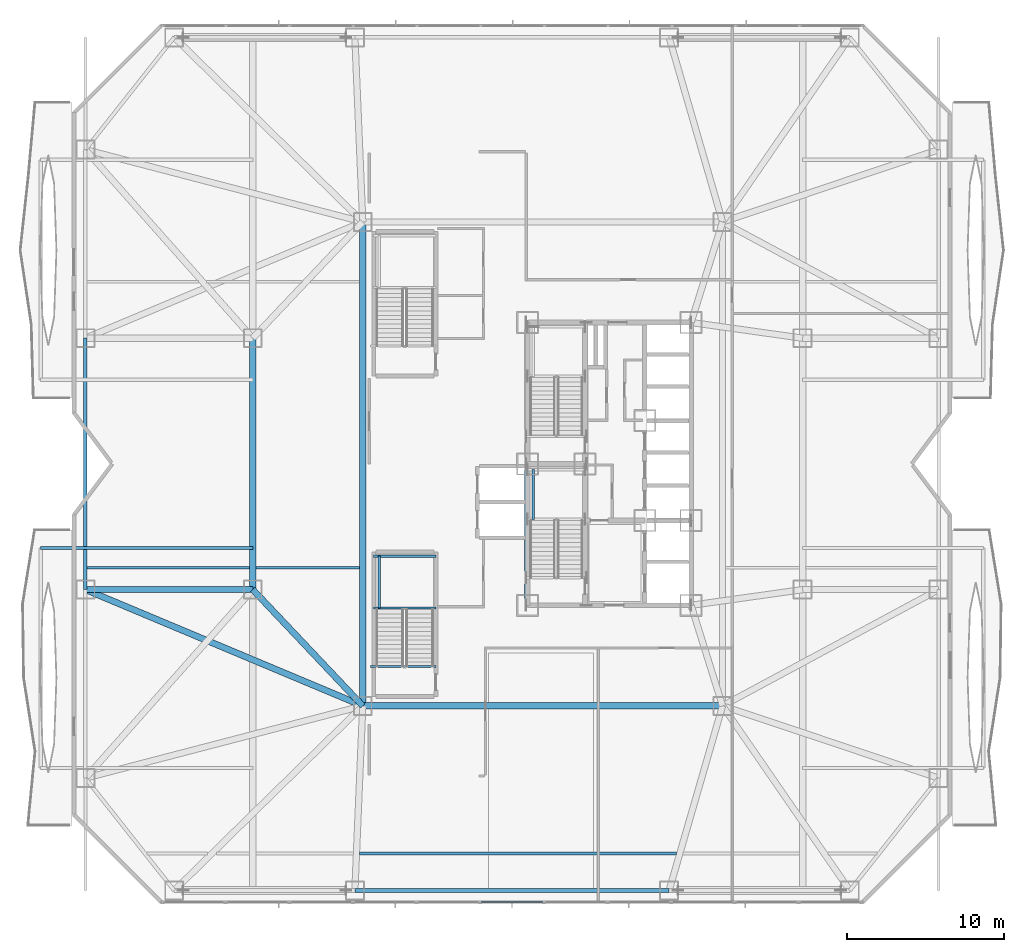
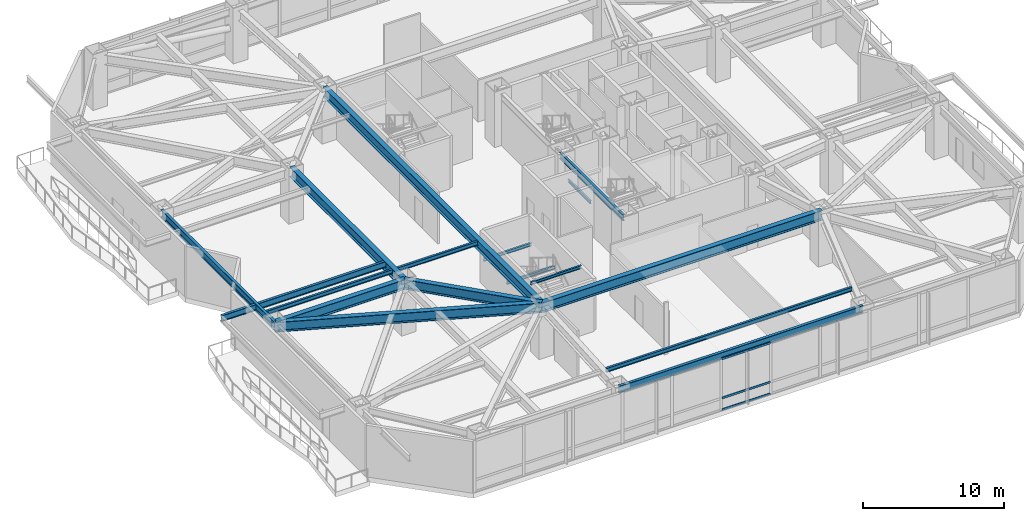
# One storey, part 5 of 33: 18 beams, 3 members, 1 element without a shape of its own.
"""IFC4 building model written with IfcOpenShell, lengths in metres."""

from ifc_helpers import new_model, si_unit, direction, frame, origin, origin_2d, place, context, subcontext, project, spatial, hollow_rectangle, i_section, extrude, material, material_profile, profile_set, type_object, element, aggregate, save


model = new_model("IFC4")

# Units and contexts
model_context = context("Model", 3, precision=1e-05, world=origin(), true_north=direction((0.0, 1.0)))
body_context = subcontext(model_context, "Body", "Model", "MODEL_VIEW")
ifc_project = project(units=[si_unit("LENGTHUNIT", "METRE"), si_unit("AREAUNIT", "SQUARE_METRE"), si_unit("VOLUMEUNIT", "CUBIC_METRE"), si_unit("PLANEANGLEUNIT", "RADIAN"), si_unit("MASSUNIT", "GRAM", prefix="KILO")], contexts=[model_context])

# Site, building, storey
site_placement = place(None, origin())
site = spatial("IfcSite", under=ifc_project, at=site_placement, CompositionType="ELEMENT")
building_placement = place(site_placement, origin())
building = spatial("IfcBuilding", under=site, at=building_placement, Name="Khamvora Tower", CompositionType="ELEMENT")
storey_placement = place(building_placement, frame((0.0, 0.0, 7.199951171875)))
storey = spatial("IfcBuildingStorey", under=building, at=storey_placement, Name="L01", CompositionType="ELEMENT", Elevation=7.199951171875)

# Beams
ifc_material_1 = material(Name="Steel S355", Category="steel")
ifc_material_profile_1 = material_profile(ifc_material_1, i_section(OverallWidth=0.1708984375, OverallDepth=0.35498046875, WebThickness=0.007080078125, FlangeThickness=0.011962890625, FilletRadius=0.010009765625, at=origin_2d()), Name="W360x51")
ifc_profile_set_1 = profile_set([ifc_material_profile_1], Name="Steel S355")
beam_type_1 = type_object("IfcBeamType", Name="BM-JS-W360x51", PredefinedType="JOIST", material=ifc_profile_set_1)
beam_1_placement = place(storey_placement, frame((18.294921875, 3.199951171875, 4.302001953125), z_axis=(1.0, 0.0, 0.0), x_axis=(0.0, 1.0, 0.0)))
element("IfcBeam", 1, at=beam_1_placement, inside=storey, type_object=beam_type_1, Name="L01 secondary floor joist 04", PredefinedType="JOIST", context=body_context, shape_type="SweptSolid", body=[
    extrude(i_section(OverallWidth=0.1708984375, OverallDepth=0.35498046875, WebThickness=0.007080078125, FlangeThickness=0.011962890625, FilletRadius=0.010009765625, at=origin_2d()), origin(), (0.0, 0.0, 1.0), 20.18212890625),
])
beam_2_placement = place(storey_placement, frame((0.9599609375, 21.39990234375, 4.302001953125), z_axis=(1.0, 0.0, 0.0), x_axis=(0.0, 1.0, 0.0)))
element("IfcBeam", 2, at=beam_2_placement, inside=storey, type_object=beam_type_1, Name="L01 secondary floor joist 07", PredefinedType="JOIST", context=body_context, shape_type="SweptSolid", body=[
    extrude(i_section(OverallWidth=0.1708984375, OverallDepth=0.35498046875, WebThickness=0.007080078125, FlangeThickness=0.011962890625, FilletRadius=0.010009765625, at=origin_2d()), origin(), (0.0, 0.0, 1.0), 10.344970703125),
])
beam_3_placement = place(storey_placement, frame((11.695068359375, 21.39990234375, 4.302001953125), z_axis=(1.0, 0.0, 0.0), x_axis=(0.0, 1.0, 0.0)))
element("IfcBeam", 3, at=beam_3_placement, inside=storey, type_object=beam_type_1, Name="L01 secondary floor joist 08", PredefinedType="JOIST", context=body_context, shape_type="SweptSolid", body=[
    extrude(i_section(OverallWidth=0.1708984375, OverallDepth=0.35498046875, WebThickness=0.007080078125, FlangeThickness=0.011962890625, FilletRadius=0.010009765625, at=origin_2d()), origin(), (0.0, 0.0, 1.0), 6.60986328125),
])
ifc_material_profile_2 = material_profile(ifc_material_1, i_section(OverallWidth=0.14697265625, OverallDepth=0.261962890625, WebThickness=0.007080078125, FlangeThickness=0.010986328125, FilletRadius=0.008056640625, at=origin_2d()), Name="W250x39")
ifc_profile_set_2 = profile_set([ifc_material_profile_2], Name="Steel S355")
beam_type_2 = type_object("IfcBeamType", Name="BM-LN-W250x39", PredefinedType="LINTEL", material=ifc_profile_set_2)
beam_4_placement = place(storey_placement, frame((29.35009765625, 24.47509765625, 2.069091796875), z_axis=(0.0, 1.0, 0.0), x_axis=(-1.0, 0.0, 0.0)))
element("IfcBeam", 4, at=beam_4_placement, inside=storey, type_object=beam_type_2, Name="L01 ST-01 half-landing edge stringer 1", PredefinedType="LINTEL", context=body_context, shape_type="SweptSolid", body=[
    extrude(i_section(OverallWidth=0.14697265625, OverallDepth=0.261962890625, WebThickness=0.007080078125, FlangeThickness=0.010986328125, FilletRadius=0.008056640625, at=origin_2d()), origin(), (0.0, 0.0, 1.0), 3.15478515625),
])
for number, where, z_axis, x_axis, name in (
    (5, (19.199951171875, 18.824951171875, 2.069091796875), (1.0, 0.0, 0.0), (0.0, 1.0, 0.0), "L01 ST-03 half-landing support beam 1.1"),
    (6, (19.199951171875, 22.1298828125, 2.069091796875), (1.0, 0.0, 0.0), (0.0, 1.0, 0.0), "L01 ST-03 half-landing support beam 1.2"),
):
    element("IfcBeam", number, at=place(storey_placement, frame(where, z_axis=z_axis, x_axis=x_axis)), inside=storey, type_object=beam_type_2, Name=name, PredefinedType="LINTEL", context=body_context, shape_type="SweptSolid", body=[
        extrude(i_section(OverallWidth=0.14697265625, OverallDepth=0.261962890625, WebThickness=0.007080078125, FlangeThickness=0.010986328125, FilletRadius=0.008056640625, at=origin_2d()), origin(), (0.0, 0.0, 1.0), 3.949951171875),
    ])
beam_5_placement = place(storey_placement, frame((19.550048828125, 18.824951171875, 2.069091796875), z_axis=(0.0, 1.0, 0.0), x_axis=(-1.0, 0.0, 0.0)))
element("IfcBeam", 7, at=beam_5_placement, inside=storey, type_object=beam_type_2, Name="L01 ST-03 half-landing edge stringer 1", PredefinedType="LINTEL", context=body_context, shape_type="SweptSolid", body=[
    extrude(i_section(OverallWidth=0.14697265625, OverallDepth=0.261962890625, WebThickness=0.007080078125, FlangeThickness=0.010986328125, FilletRadius=0.008056640625, at=origin_2d()), origin(), (0.0, 0.0, 1.0), 3.304931640625),
])
beam_6_placement = place(storey_placement, frame((19.0, 15.10009765625, 4.35400390625), z_axis=(1.0, 0.0, 0.0), x_axis=(0.0, 1.0, 0.0)))
element("IfcBeam", 8, at=beam_6_placement, inside=storey, type_object=beam_type_2, Name="L01 podium stair ST03 landing trimmer beam", PredefinedType="LINTEL", context=body_context, shape_type="SweptSolid", body=[
    extrude(i_section(OverallWidth=0.14697265625, OverallDepth=0.261962890625, WebThickness=0.007080078125, FlangeThickness=0.010986328125, FilletRadius=0.008056640625, at=origin_2d()), origin(), (0.0, 0.0, 1.0), 4.14990234375),
])
ifc_material_profile_3 = material_profile(ifc_material_1, i_section(OverallWidth=0.39990234375, OverallDepth=0.85498046875, WebThickness=0.01806640625, FlangeThickness=0.029052734375, FilletRadius=0.01806640625, at=origin_2d()), Name="W840x299")
ifc_profile_set_3 = profile_set([ifc_material_profile_3], Name="Steel S355")
beam_type_3 = type_object("IfcBeamType", Name="BM-PG-W840x299", PredefinedType="BEAM", material=ifc_profile_set_3)
beam_7_placement = place(storey_placement, frame((18.5, 12.60009765625, 4.052001953125), z_axis=(0.0, 1.0, 0.0), x_axis=(-1.0, 0.0, 0.0)))
element("IfcBeam", 9, at=beam_7_placement, inside=storey, type_object=beam_type_3, Name="L01 longitudinal frame girder P17-P19", PredefinedType="BEAM", context=body_context, shape_type="SweptSolid", body=[
    extrude(i_section(OverallWidth=0.39990234375, OverallDepth=0.85498046875, WebThickness=0.01806640625, FlangeThickness=0.029052734375, FilletRadius=0.01806640625, at=origin_2d()), origin(), (0.0, 0.0, 1.0), 30.7998046875),
])
beam_8_placement = place(storey_placement, frame((18.5, 12.60009765625, 4.052001953125), z_axis=(1.0, 0.0, 0.0), x_axis=(0.0, 1.0, 0.0)))
element("IfcBeam", 10, at=beam_8_placement, inside=storey, type_object=beam_type_3, Name="L01 longitudinal frame girder P17-P18", PredefinedType="BEAM", context=body_context, shape_type="SweptSolid", body=[
    extrude(i_section(OverallWidth=0.39990234375, OverallDepth=0.85498046875, WebThickness=0.01806640625, FlangeThickness=0.029052734375, FilletRadius=0.01806640625, at=origin_2d()), origin(), (0.0, 0.0, 1.0), 22.89990234375),
])
beam_9_placement = place(storey_placement, frame((11.5, 20.0, 4.052001953125), z_axis=(0.0, 1.0, 0.0), x_axis=(-1.0, 0.0, 0.0)))
element("IfcBeam", 11, at=beam_9_placement, inside=storey, type_object=beam_type_3, Name="L01 longitudinal frame girder P21-P22", PredefinedType="BEAM", context=body_context, shape_type="SweptSolid", body=[
    extrude(i_section(OverallWidth=0.39990234375, OverallDepth=0.85498046875, WebThickness=0.01806640625, FlangeThickness=0.029052734375, FilletRadius=0.01806640625, at=origin_2d()), origin(), (0.0, 0.0, 1.0), 16.0),
])
beam_10_placement = place(storey_placement, frame((11.5, 20.0, 4.052001953125), z_axis=(-1.0, 0.0, 0.0), x_axis=(0.0, -1.0, 0.0)))
element("IfcBeam", 12, at=beam_10_placement, inside=storey, type_object=beam_type_3, Name="L01 primary floor girder P10", PredefinedType="BEAM", context=body_context, shape_type="SweptSolid", body=[
    extrude(i_section(OverallWidth=0.39990234375, OverallDepth=0.85498046875, WebThickness=0.01806640625, FlangeThickness=0.029052734375, FilletRadius=0.01806640625, at=origin_2d()), origin(), (0.0, 0.0, 1.0), 10.64990234375),
])
beam_11_placement = place(storey_placement, frame((18.5, 12.60009765625, 4.052001953125), z_axis=(-0.687204640029, 0.726463889483, 0.0), x_axis=(-0.726463889483, -0.687204640029, 0.0)))
element("IfcBeam", 13, at=beam_11_placement, inside=storey, type_object=beam_type_3, Name="L01 primary floor girder P21", PredefinedType="BEAM", context=body_context, shape_type="SweptSolid", body=[
    extrude(i_section(OverallWidth=0.39990234375, OverallDepth=0.85498046875, WebThickness=0.01806640625, FlangeThickness=0.029052734375, FilletRadius=0.01806640625, at=origin_2d()), origin(), (0.0, 0.0, 1.0), 10.186279296875),
])
beam_12_placement = place(storey_placement, frame((0.85009765625, 20.0, 4.052001953125), z_axis=(0.922225491396, -0.386652483529, 0.0), x_axis=(0.386652483529, 0.922225491396, 0.0)))
element("IfcBeam", 14, at=beam_12_placement, inside=storey, type_object=beam_type_3, Name="L01 west plinth tie girder 2", PredefinedType="BEAM", context=body_context, shape_type="SweptSolid", body=[
    extrude(i_section(OverallWidth=0.39990234375, OverallDepth=0.85498046875, WebThickness=0.01806640625, FlangeThickness=0.029052734375, FilletRadius=0.01806640625, at=origin_2d()), origin(), (0.0, 0.0, 1.0), 19.138427734375),
])
ifc_material_profile_4 = material_profile(ifc_material_1, i_section(OverallWidth=0.208984375, OverallDepth=0.532958984375, WebThickness=0.010009765625, FlangeThickness=0.01611328125, FilletRadius=0.013916015625, at=origin_2d()), Name="W530x92")
ifc_profile_set_4 = profile_set([ifc_material_profile_4], Name="Steel S355")
beam_type_4 = type_object("IfcBeamType", Name="BM-SP-W530x92", PredefinedType="SPANDREL", material=ifc_profile_set_4)
beam_13_placement = place(storey_placement, frame((28.89990234375, 19.0, 4.213134765625), z_axis=(0.0, 1.0, 0.0), x_axis=(-1.0, 0.0, 0.0)))
element("IfcBeam", 15, at=beam_13_placement, inside=storey, type_object=beam_type_4, Name="L01 core spine girder WS", PredefinedType="SPANDREL", context=body_context, shape_type="SweptSolid", body=[
    extrude(i_section(OverallWidth=0.208984375, OverallDepth=0.532958984375, WebThickness=0.010009765625, FlangeThickness=0.01611328125, FilletRadius=0.013916015625, at=origin_2d()), origin(), (0.0, 0.0, 1.0), 9.0),
])
beam_14_placement = place(storey_placement, frame((11.5, 22.64990234375, 4.113037109375), z_axis=(-1.0, 0.0, 0.0), x_axis=(0.0, -1.0, 0.0)))
element("IfcBeam", 16, at=beam_14_placement, inside=storey, type_object=beam_type_4, Name="L01 continuous gallery cantilever girder L02-WL1-2", PredefinedType="SPANDREL", context=body_context, shape_type="SweptSolid", body=[
    extrude(i_section(OverallWidth=0.208984375, OverallDepth=0.532958984375, WebThickness=0.010009765625, FlangeThickness=0.01611328125, FilletRadius=0.013916015625, at=origin_2d()), origin(), (0.0, 0.0, 1.0), 13.5),
])
ifc_material_profile_5 = material_profile(ifc_material_1, i_section(OverallWidth=0.22998046875, OverallDepth=0.616943359375, WebThickness=0.012939453125, FlangeThickness=0.02197265625, FilletRadius=0.013916015625, at=origin_2d()), Name="W610x140")
ifc_profile_set_5 = profile_set([ifc_material_profile_5], Name="Steel S355")
beam_type_5 = type_object("IfcBeamType", Name="BM-SP-W610x140", PredefinedType="SPANDREL", material=ifc_profile_set_5)
beam_15_placement = place(storey_placement, frame((18.0, 0.85009765625, 4.171142578125), z_axis=(1.0, 0.0, 0.0), x_axis=(0.0, 1.0, 0.0)))
element("IfcBeam", 17, at=beam_15_placement, inside=storey, type_object=beam_type_5, Name="L01 perimeter spandrel beam P02-P03", PredefinedType="SPANDREL", context=body_context, shape_type="SweptSolid", body=[
    extrude(i_section(OverallWidth=0.22998046875, OverallDepth=0.616943359375, WebThickness=0.012939453125, FlangeThickness=0.02197265625, FilletRadius=0.013916015625, at=origin_2d()), origin(), (0.0, 0.0, 1.0), 20.0),
])
beam_16_placement = place(storey_placement, frame((0.85009765625, 36.0, 4.171142578125), z_axis=(0.0, -1.0, 0.0), x_axis=(1.0, 0.0, 0.0)))
element("IfcBeam", 18, at=beam_16_placement, inside=storey, type_object=beam_type_5, Name="L01 perimeter spandrel beam P11-P10", PredefinedType="SPANDREL", context=body_context, shape_type="SweptSolid", body=[
    extrude(i_section(OverallWidth=0.22998046875, OverallDepth=0.616943359375, WebThickness=0.012939453125, FlangeThickness=0.02197265625, FilletRadius=0.013916015625, at=origin_2d()), origin(), (0.0, 0.0, 1.0), 16.0),
])

# Curtain wall, members
ifc_material_2 = material(Name="Anodised Aluminium 6063-T6", Category="aluminium")
curtain_wall_type = type_object("IfcCurtainWallType", Name="CW-SYS-01", PredefinedType="NOTDEFINED", material=ifc_material_2)
curtain_wall_placement = place(storey_placement, origin())
curtain_wall = element("IfcCurtainWall", 19, at=curtain_wall_placement, inside=storey, type_object=curtain_wall_type, Name="L01 stick curtain wall 14.1", PredefinedType="NOTDEFINED")
ifc_material_profile_6 = material_profile(ifc_material_2, hollow_rectangle(XDim=0.074951171875, YDim=0.179931640625, WallThickness=0.0048828125, at=origin_2d()), Name="TRN75x180x5")
ifc_profile_set_6 = profile_set([ifc_material_profile_6], Name="Anodised Aluminium 6063-T6")
member_type = type_object("IfcMemberType", Name="CW-SYS-01-TRN", PredefinedType="USERDEFINED", material=ifc_profile_set_6)
member_1_placement = place(storey_placement, frame((29.987548828125, 0.1201171875, 0.03759765625), z_axis=(-1.0, 0.0, 0.0), x_axis=(0.0, -1.0, 0.0)))
member_1 = element("IfcMember", 20, at=member_1_placement, type_object=member_type, Name="CW-01 transom 6.1", ObjectType="TRANSOM", PredefinedType="USERDEFINED", context=body_context, shape_type="SweptSolid", body=[
    extrude(hollow_rectangle(XDim=0.074951171875, YDim=0.179931640625, WallThickness=0.0048828125, at=origin_2d()), origin(), (0.0, 0.0, 1.0), 3.97509765625),
])
member_2_placement = place(storey_placement, frame((29.987548828125, 0.1201171875, 1.050048828125), z_axis=(-1.0, 0.0, 0.0), x_axis=(0.0, -1.0, 0.0)))
member_2 = element("IfcMember", 21, at=member_2_placement, type_object=member_type, Name="CW-01 transom 6.2", ObjectType="TRANSOM", PredefinedType="USERDEFINED", context=body_context, shape_type="SweptSolid", body=[
    extrude(hollow_rectangle(XDim=0.074951171875, YDim=0.179931640625, WallThickness=0.0048828125, at=origin_2d()), origin(), (0.0, 0.0, 1.0), 3.97509765625),
])
member_3_placement = place(storey_placement, frame((29.987548828125, 0.1201171875, 4.442626953125), z_axis=(-1.0, 0.0, 0.0), x_axis=(0.0, -1.0, 0.0)))
member_3 = element("IfcMember", 22, at=member_3_placement, type_object=member_type, Name="CW-01 transom 6.3", ObjectType="TRANSOM", PredefinedType="USERDEFINED", context=body_context, shape_type="SweptSolid", body=[
    extrude(hollow_rectangle(XDim=0.074951171875, YDim=0.179931640625, WallThickness=0.0048828125, at=origin_2d()), origin(), (0.0, 0.0, 1.0), 3.97509765625),
])
aggregate(curtain_wall, [member_1, member_2, member_3])

save(model, "model.ifc")
